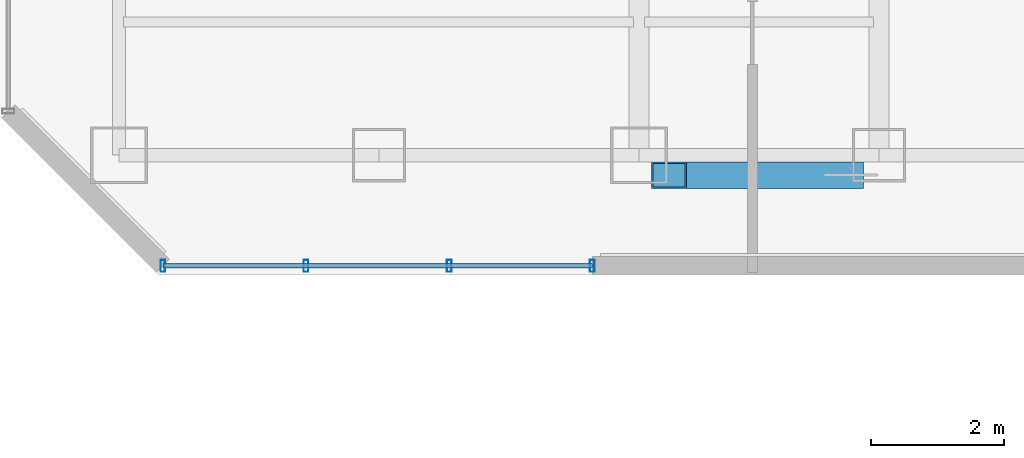
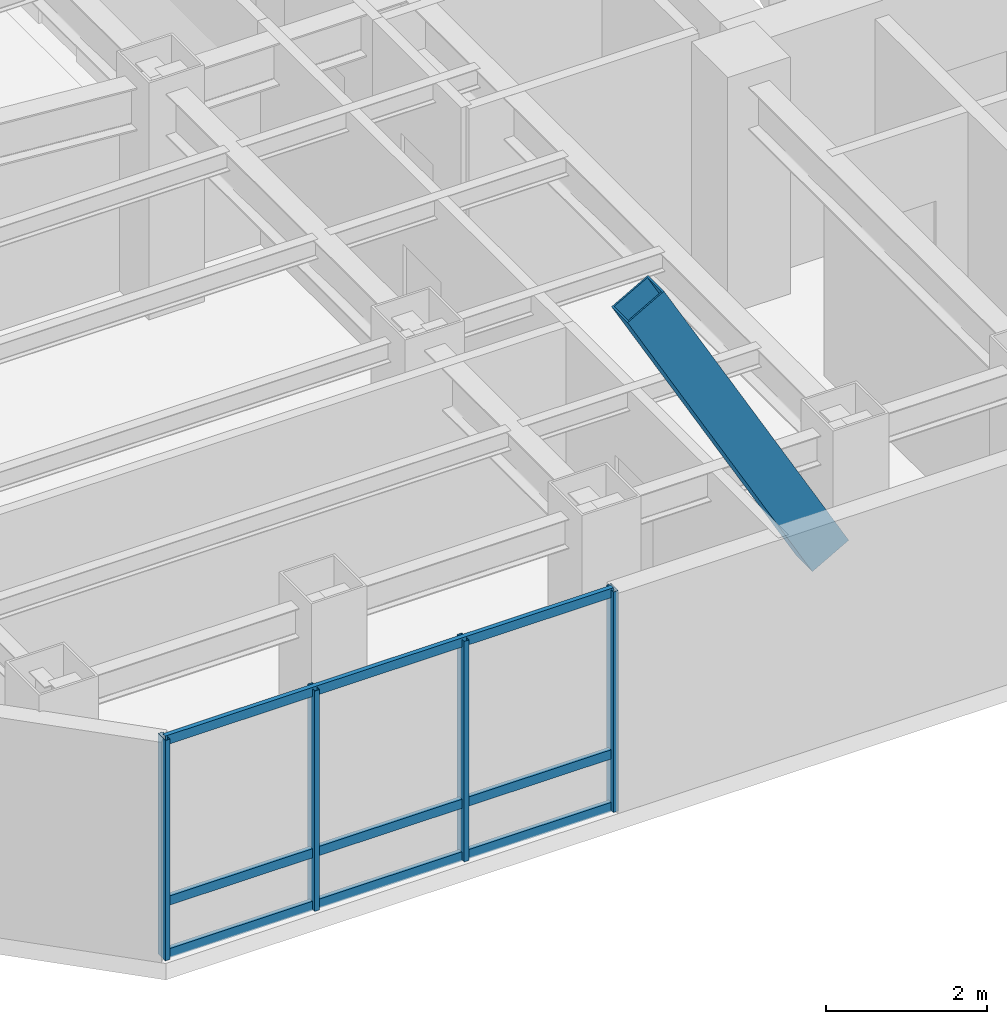
# One storey, part 2 of 28: 8 members, 1 element without a shape of its own.
"""IFC4 building model written with IfcOpenShell, lengths in metres."""

from ifc_helpers import new_model, si_unit, direction, frame, origin, origin_2d, place, context, subcontext, project, spatial, hollow_rectangle, extrude, material, layer, layer_set, material_profile, profile_set, type_object, element, aggregate, save


model = new_model("IFC4")

# Units and contexts
model_context = context("Model", 3, precision=1e-05, world=origin(), true_north=direction((0.0, 1.0)))
body_context = subcontext(model_context, "Body", "Model", "MODEL_VIEW")
ifc_project = project(units=[si_unit("LENGTHUNIT", "METRE"), si_unit("AREAUNIT", "SQUARE_METRE"), si_unit("VOLUMEUNIT", "CUBIC_METRE"), si_unit("PLANEANGLEUNIT", "RADIAN"), si_unit("MASSUNIT", "GRAM", prefix="KILO")], contexts=[model_context])

# Site, building, storey
site_placement = place(None, origin())
site = spatial("IfcSite", under=ifc_project, at=site_placement, CompositionType="ELEMENT")
building_placement = place(site_placement, origin())
building = spatial("IfcBuilding", under=site, at=building_placement, Name="Hatsunagi Terrace Concourse", CompositionType="ELEMENT")
storey_placement = place(building_placement, frame((0.0, 0.0, 160.050048828125)))
storey = spatial("IfcBuildingStorey", under=building, at=storey_placement, Name="L42", CompositionType="ELEMENT", Elevation=160.050048828125)

# Curtain wall, members
ifc_material_1 = material(Name="Anodised Aluminium Alloy 6063-T5", Category="aluminium")
ifc_layer = layer(ifc_material_1, 0.199951171875)
ifc_layer_set = layer_set([ifc_layer], Name="OfficeZone1_CW03")
curtain_wall_type = type_object("IfcCurtainWallType", Name="OfficeZone1_CW03", PredefinedType="NOTDEFINED", material=ifc_layer_set)
curtain_wall_placement = place(storey_placement, origin())
curtain_wall = element("IfcCurtainWall", 1, at=curtain_wall_placement, inside=storey, type_object=curtain_wall_type, Name="Unitised Curtain Wall CW-03 CW-L42-07", PredefinedType="NOTDEFINED")
ifc_material_2 = material(Name="Anodised Aluminium Alloy 6063-T5", Category="aluminium")
ifc_material_profile_1 = material_profile(ifc_material_2, hollow_rectangle(XDim=0.070068359375, YDim=0.179931640625, WallThickness=0.00390625, at=origin_2d()), Name="ALU-MUL-180x70x4")
ifc_profile_set_1 = profile_set([ifc_material_profile_1], Name="Anodised Aluminium Alloy 6063-T5")
member_type_1 = type_object("IfcMemberType", Name="CurtainWallMullion_180x70", PredefinedType="MULLION", material=ifc_profile_set_1)
member_1_placement = place(storey_placement, frame((18.5, 23.5400390625, 0.0), z_axis=(0.0, 0.0, 1.0), x_axis=(-1.0, 0.0, 0.0)))
member_1 = element("IfcMember", 2, at=member_1_placement, type_object=member_type_1, Name="Curtain Wall Mullion MUL-02", PredefinedType="MULLION", context=body_context, shape_type="SweptSolid", body=[
    extrude(hollow_rectangle(XDim=0.070068359375, YDim=0.179931640625, WallThickness=0.00390625, at=origin_2d()), origin(), (0.0, 0.0, 1.0), 3.349853515625),
])
member_2_placement = place(storey_placement, frame((16.35302734375, 23.5400390625, 0.0), z_axis=(0.0, 0.0, 1.0), x_axis=(-1.0, 0.0, 0.0)))
member_2 = element("IfcMember", 3, at=member_2_placement, type_object=member_type_1, Name="Curtain Wall Mullion MUL-02", PredefinedType="MULLION", context=body_context, shape_type="SweptSolid", body=[
    extrude(hollow_rectangle(XDim=0.070068359375, YDim=0.179931640625, WallThickness=0.00390625, at=origin_2d()), origin(), (0.0, 0.0, 1.0), 3.349853515625),
])
member_3_placement = place(storey_placement, frame((14.205078125, 23.5400390625, 0.0), z_axis=(0.0, 0.0, 1.0), x_axis=(-1.0, 0.0, 0.0)))
member_3 = element("IfcMember", 4, at=member_3_placement, type_object=member_type_1, Name="Curtain Wall Mullion MUL-02", PredefinedType="MULLION", context=body_context, shape_type="SweptSolid", body=[
    extrude(hollow_rectangle(XDim=0.070068359375, YDim=0.179931640625, WallThickness=0.00390625, at=origin_2d()), origin(), (0.0, 0.0, 1.0), 3.349853515625),
])
member_4_placement = place(storey_placement, frame((12.05810546875, 23.5400390625, 0.0), z_axis=(0.0, 0.0, 1.0), x_axis=(-1.0, 0.0, 0.0)))
member_4 = element("IfcMember", 5, at=member_4_placement, type_object=member_type_1, Name="Curtain Wall Mullion MUL-02", PredefinedType="MULLION", context=body_context, shape_type="SweptSolid", body=[
    extrude(hollow_rectangle(XDim=0.070068359375, YDim=0.179931640625, WallThickness=0.00390625, at=origin_2d()), origin(), (0.0, 0.0, 1.0), 3.349853515625),
])
ifc_material_3 = material(Name="Anodised Aluminium Alloy 6063-T5", Category="aluminium")
ifc_material_profile_2 = material_profile(ifc_material_3, hollow_rectangle(XDim=0.06494140625, YDim=0.139892578125, WallThickness=0.00390625, at=origin_2d()), Name="ALU-TRN-140x65x4")
ifc_profile_set_2 = profile_set([ifc_material_profile_2], Name="Anodised Aluminium Alloy 6063-T5")
member_type_2 = type_object("IfcMemberType", Name="CurtainWallTransom_140x65", PredefinedType="USERDEFINED", material=ifc_profile_set_2)
member_5_placement = place(storey_placement, frame((18.5, 23.5400390625, 0.050048828125), z_axis=(-1.0, 0.0, 0.0), x_axis=(0.0, -1.0, 0.0)))
member_5 = element("IfcMember", 6, at=member_5_placement, type_object=member_type_2, Name="Curtain Wall Transom TRN-02", ObjectType="TRANSOM", PredefinedType="USERDEFINED", context=body_context, shape_type="SweptSolid", body=[
    extrude(hollow_rectangle(XDim=0.06494140625, YDim=0.139892578125, WallThickness=0.00390625, at=origin_2d()), origin(), (0.0, 0.0, 1.0), 6.44189453125),
])
member_6_placement = place(storey_placement, frame((18.5, 23.5400390625, 0.849853515625), z_axis=(-1.0, 0.0, 0.0), x_axis=(0.0, -1.0, 0.0)))
member_6 = element("IfcMember", 7, at=member_6_placement, type_object=member_type_2, Name="Curtain Wall Transom TRN-02", ObjectType="TRANSOM", PredefinedType="USERDEFINED", context=body_context, shape_type="SweptSolid", body=[
    extrude(hollow_rectangle(XDim=0.06494140625, YDim=0.139892578125, WallThickness=0.00390625, at=origin_2d()), origin(), (0.0, 0.0, 1.0), 6.44189453125),
])
member_7_placement = place(storey_placement, frame((18.5, 23.5400390625, 3.300048828125), z_axis=(-1.0, 0.0, 0.0), x_axis=(0.0, -1.0, 0.0)))
member_7 = element("IfcMember", 8, at=member_7_placement, type_object=member_type_2, Name="Curtain Wall Transom TRN-02", ObjectType="TRANSOM", PredefinedType="USERDEFINED", context=body_context, shape_type="SweptSolid", body=[
    extrude(hollow_rectangle(XDim=0.06494140625, YDim=0.139892578125, WallThickness=0.00390625, at=origin_2d()), origin(), (0.0, 0.0, 1.0), 6.44189453125),
])
aggregate(curtain_wall, [member_1, member_2, member_3, member_4, member_5, member_6, member_7])

# Member
ifc_material_4 = material(Name="Steel SN490B", Category="steel")
ifc_material_profile_3 = material_profile(ifc_material_4, hollow_rectangle(XDim=0.39990234375, YDim=0.60009765625, WallThickness=0.02490234375, at=origin_2d()), Name="RHS-600x400x25")
ifc_profile_set_3 = profile_set([ifc_material_profile_3], Name="Steel SN490B")
member_type_3 = type_object("IfcMemberType", Name="PerimeterXBrace_Mid_RHS_600x400x25", PredefinedType="BRACE", material=ifc_profile_set_3)
member_8_placement = place(storey_placement, frame((19.64990234375, 24.89990234375, 6.510009765625), z_axis=(0.490944566427, 0.0, -0.871190813023), x_axis=(0.0, 1.0, 0.0)))
element("IfcMember", 9, at=member_8_placement, inside=storey, type_object=member_type_3, Name="Perimeter X-Brace Split Upper XB-02 XB-L41-W1B1", PredefinedType="BRACE", context=body_context, shape_type="SweptSolid", body=[
    extrude(hollow_rectangle(XDim=0.39990234375, YDim=0.60009765625, WallThickness=0.02490234375, at=origin_2d()), origin(), (0.0, 0.0, 1.0), 5.409912109375),
])

save(model, "model.ifc")
